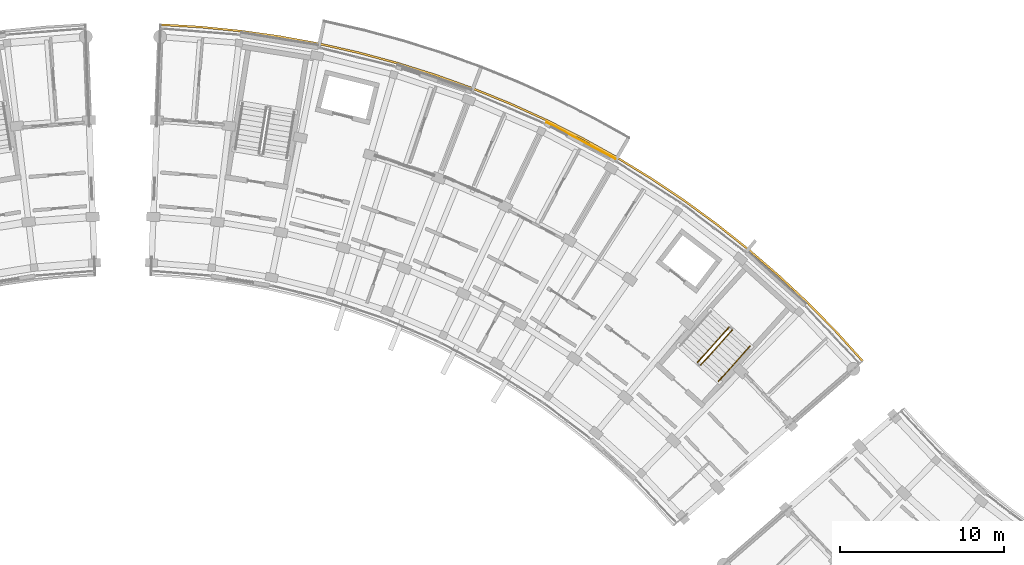
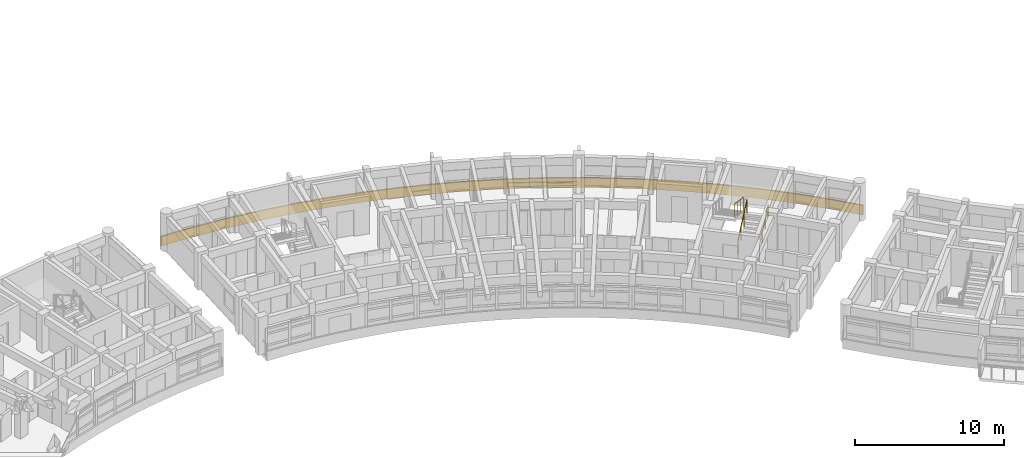
# One storey, part 50 of 54: 4 railings, 1 covering.
"""IFC4 building model written with IfcOpenShell, lengths in metres."""

from ifc_helpers import new_model, si_unit, direction, frame, origin, origin_2d, place, context, subcontext, project, spatial, polyline, rectangle, circle, outline, extrude, material, layer, layer_set, type_object, element, save


model = new_model("IFC4")

# Units and contexts
model_context = context("Model", 3, precision=1e-05, world=origin(), true_north=direction((0.0, 1.0)))
body_context = subcontext(model_context, "Body", "Model", "MODEL_VIEW")
ifc_project = project(units=[si_unit("LENGTHUNIT", "METRE"), si_unit("AREAUNIT", "SQUARE_METRE"), si_unit("VOLUMEUNIT", "CUBIC_METRE"), si_unit("PLANEANGLEUNIT", "RADIAN"), si_unit("MASSUNIT", "GRAM", prefix="KILO")], contexts=[model_context])

# Site, building, storey
site_placement = place(None, origin())
site = spatial("IfcSite", under=ifc_project, at=site_placement, CompositionType="ELEMENT")
building_placement = place(site_placement, origin())
building = spatial("IfcBuilding", under=site, at=building_placement, Name="Zimvara Arc Housing Community", CompositionType="ELEMENT")
storey_placement = place(building_placement, frame((0.0, 0.0, 20.5)))
storey = spatial("IfcBuildingStorey", under=building, at=storey_placement, Name="L06", CompositionType="ELEMENT", Elevation=20.5)

# Covering
ifc_material_1 = material(Name="Pale-Gold Anodised Aluminium Cladding", Category="aluminium")
ifc_layer = layer(ifc_material_1, 0.044921875)
ifc_layer_set = layer_set([ifc_layer], Name="Pale-Gold Anodised Aluminium Cladding")
covering_type = type_object("IfcCoveringType", Name="CLD-GOLD-02", PredefinedType="CLADDING", material=ifc_layer_set)
covering_placement = place(storey_placement, frame((72.8583984375, 97.026611328125, 0.009765625), z_axis=(0.0, 0.0, 1.0), x_axis=(0.88343873811, -0.468546684981, 0.0)))
element("IfcCovering", 1, at=covering_placement, inside=storey, type_object=covering_type, Name="cld:blkB:L06:out:b5", PredefinedType="CLADDING", context=body_context, shape_type="SweptSolid", body=[
    extrude(rectangle(XDim=4.748779296875, YDim=0.044921875, at=origin_2d()), origin(), (0.0, 0.0, 1.0), 0.300048828125),
])

# Railings
ifc_material_2 = material(Name="Anodised Aluminium AW-6063", Category="aluminium")
railing_type_1 = type_object("IfcRailingType", Name="RLG-BAL-1120", PredefinedType="BALUSTRADE", material=ifc_material_2)
railing_1_placement = place(storey_placement, frame((80.1455078125, 83.365966796875, 0.155029296875)))
element("IfcRailing", 2, at=railing_1_placement, inside=storey, type_object=railing_type_1, Name="L06 ST-B2 stair guard 1", PredefinedType="BALUSTRADE", context=body_context, shape_type="SweptSolid", body=[
    extrude(circle(Radius=0.02392578125, at=origin_2d()), frame((0.0, 0.0, 1.09619140625), z_axis=(0.601231728384, 0.668248248038, 0.438137749775), x_axis=(-0.743400174344, 0.668846903847, 0.0)), (0.0, 0.0, 1.0), 3.18408203125),
    extrude(circle(Radius=0.02099609375, at=origin_2d()), origin(), (0.0, 0.0, 1.0), 1.072021484375),
    extrude(circle(Radius=0.02099609375, at=origin_2d()), frame((0.63818359375, 0.709228515625, 0.465087890625)), (0.0, 0.0, 1.0), 1.072021484375),
    extrude(circle(Radius=0.02099609375, at=origin_2d()), frame((1.276123046875, 1.41845703125, 0.929931640625)), (0.0, 0.0, 1.0), 1.072021484375),
    extrude(circle(Radius=0.02099609375, at=origin_2d()), frame((1.914306640625, 2.127685546875, 1.39501953125)), (0.0, 0.0, 1.0), 1.072021484375),
])
railing_2_placement = place(storey_placement, frame((81.866455078125, 85.66748046875, 1.705078125)))
element("IfcRailing", 3, at=railing_2_placement, inside=storey, type_object=railing_type_1, Name="L06 ST-B2 stair guard 3", PredefinedType="BALUSTRADE", context=body_context, shape_type="SweptSolid", body=[
    extrude(circle(Radius=0.02392578125, at=origin_2d()), frame((0.0, 0.0, 1.09619140625), z_axis=(-0.601262536038, -0.668205807809, 0.438160200347), x_axis=(0.743362010683, -0.668889319, 0.0)), (0.0, 0.0, 1.0), 3.183837890625),
    extrude(circle(Radius=0.02099609375, at=origin_2d()), origin(), (0.0, 0.0, 1.0), 1.072021484375),
    extrude(circle(Radius=0.02099609375, at=origin_2d()), frame((-0.63818359375, -0.709228515625, 0.465087890625)), (0.0, 0.0, 1.0), 1.072021484375),
    extrude(circle(Radius=0.02099609375, at=origin_2d()), frame((-1.276123046875, -1.418212890625, 0.929931640625)), (0.0, 0.0, 1.0), 1.072021484375),
    extrude(circle(Radius=0.02099609375, at=origin_2d()), frame((-1.914306640625, -2.12744140625, 1.39501953125)), (0.0, 0.0, 1.0), 1.072021484375),
])
ifc_material_3 = material(Name="Pale-Gold Anodised Aluminium AW-6063", Category="aluminium")
railing_type_2 = type_object("IfcRailingType", Name="RLG-FAS-780", PredefinedType="BALUSTRADE", material=ifc_material_3)
railing_3_placement = place(storey_placement, frame((0.0, 0.0, -0.219970703125)))
element("IfcRailing", 4, at=railing_3_placement, inside=storey, type_object=railing_type_2, Name="rlg:blkB:L06:gold_out", PredefinedType="BALUSTRADE", context=body_context, shape_type="SweptSolid", body=[
    extrude(outline(polyline([(47.286376953125, 104.01611328125), (49.71435546875, 103.873046875), (52.134765625, 103.631103515625), (54.54296875, 103.29052734375), (56.935546875, 102.851806640625), (59.307861328125, 102.31591796875), (61.65673828125, 101.68359375), (63.9775390625, 100.955810546875), (66.266845703125, 100.1337890625), (68.5205078125, 99.218994140625), (70.735107421875, 98.213134765625), (72.90673828125, 97.11767578125), (75.03173828125, 95.934326171875), (77.106689453125, 94.665283203125), (79.128173828125, 93.3125), (81.0927734375, 91.87841796875), (82.9970703125, 90.365234375), (84.837890625, 88.775634765625), (86.612548828125, 87.112060546875), (88.317626953125, 85.377685546875), (89.950439453125, 83.574951171875), (90.041015625, 83.653564453125), (88.40478515625, 85.4599609375), (86.6962890625, 87.197998046875), (84.918212890625, 88.86474609375), (83.073486328125, 90.457763671875), (81.165283203125, 91.973876953125), (79.197021484375, 93.410888671875), (77.17138671875, 94.766357421875), (75.09228515625, 96.037841796875), (72.962890625, 97.2236328125), (70.786865234375, 98.3212890625), (68.56787109375, 99.329345703125), (66.3095703125, 100.245849609375), (64.015625, 101.069580078125), (61.690185546875, 101.798583984375), (59.3369140625, 102.432373046875), (56.95947265625, 102.969482421875), (54.562255859375, 103.408935546875), (52.149169921875, 103.750244140625), (49.723876953125, 103.99267578125), (47.291015625, 104.135986328125), (47.286376953125, 104.01611328125)])), origin(), (0.0, 0.0, 1.0), 0.780029296875),
])
ifc_material_4 = material(Name="Anodised Aluminium AW-6063", Category="aluminium")
railing_type_3 = type_object("IfcRailingType", Name="RLG-HND-900", PredefinedType="HANDRAIL", material=ifc_material_4)
railing_4_placement = place(storey_placement, frame((81.230712890625, 82.389404296875, 0.155029296875)))
element("IfcRailing", 5, at=railing_4_placement, inside=storey, type_object=railing_type_3, Name="L06 ST-B2 stair handrail 1", PredefinedType="HANDRAIL", context=body_context, shape_type="SweptSolid", body=[
    extrude(circle(Radius=0.02392578125, at=origin_2d()), frame((0.0, 0.0, 0.8759765625), z_axis=(0.601231728384, 0.668248248038, 0.438137749775), x_axis=(-0.743400174344, 0.668846903847, 0.0)), (0.0, 0.0, 1.0), 3.18408203125),
    extrude(circle(Radius=0.02099609375, at=origin_2d()), origin(), (0.0, 0.0, 1.0), 0.851806640625),
    extrude(circle(Radius=0.02099609375, at=origin_2d()), frame((0.63818359375, 0.709228515625, 0.465087890625)), (0.0, 0.0, 1.0), 0.851806640625),
    extrude(circle(Radius=0.02099609375, at=origin_2d()), frame((1.276123046875, 1.41845703125, 0.929931640625)), (0.0, 0.0, 1.0), 0.851806640625),
    extrude(circle(Radius=0.02099609375, at=origin_2d()), frame((1.914306640625, 2.127685546875, 1.39501953125)), (0.0, 0.0, 1.0), 0.851806640625),
])

save(model, "model.ifc")
